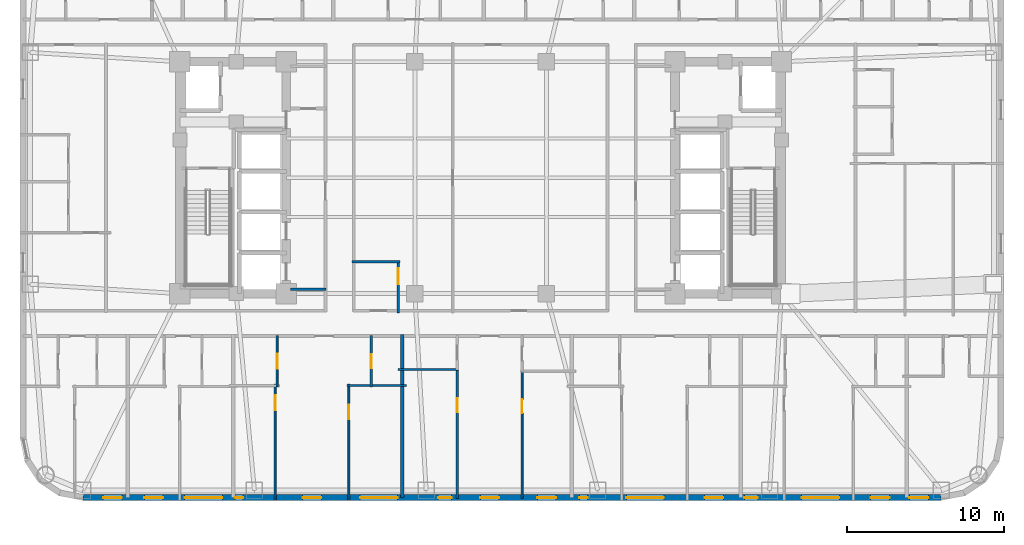
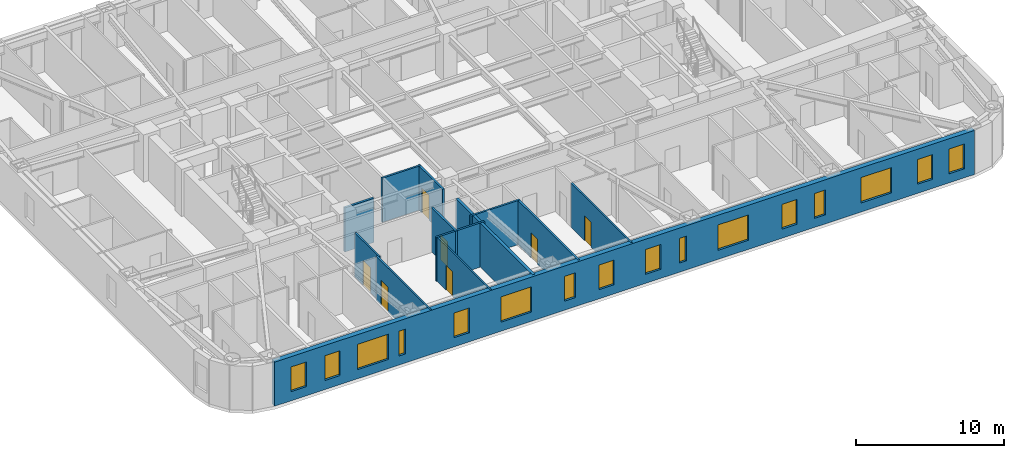
# One storey, part 3 of 11: 16 windows, 13 walls, 7 doors, 23 openings.
"""IFC4 building model written with IfcOpenShell, lengths in metres."""

import ifcopenshell
import ifcopenshell.guid

model = None  # the IFC model being written
_history = None  # IfcOwnerHistory: only IFC2X3 demands one
_inside = {}  # id of a spatial element -> (the spatial element, [elements in it])
_under = {}  # id of a project, library or spatial element -> (it, [spatial elements below it])
_declared = {}  # id of a project -> (the project, [libraries it declares])
_typed = {}  # id of a type object -> (the type object, [elements of that type])
_made_of = {}  # id of a material, layer set ... -> (it, [elements and type objects made of it])


def new_model(schema):
    """Start an empty IFC model of exactly this schema.

    Asked for "IFC4X3", IfcOpenShell would pick the latest addendum, in which some entities
    have other attributes; the version numbers below select the first issue.
    IFC2X3 requires an IfcOwnerHistory on every rooted entity: one is made here for all.
    """
    global model, _history
    if schema == "IFC4X3":
        model = ifcopenshell.file(schema_version=(4, 3, 0, 0))
    else:
        model = ifcopenshell.file(schema=schema)
    _inside.clear()
    _under.clear()
    _declared.clear()
    _typed.clear()
    _made_of.clear()
    _history = None
    if model.schema == "IFC2X3":
        org = make("IfcOrganization", Name="unknown")
        user = make(
            "IfcPersonAndOrganization",
            ThePerson=make("IfcPerson", FamilyName="unknown"),
            TheOrganization=org,
        )
        app = make(
            "IfcApplication",
            ApplicationDeveloper=org,
            Version="unknown",
            ApplicationFullName="unknown",
            ApplicationIdentifier="unknown",
        )
        _history = make(
            "IfcOwnerHistory",
            OwningUser=user,
            OwningApplication=app,
            ChangeAction="ADDED",
            CreationDate=0,
        )
    return model


def make(cls, **values):
    """One entity of the class cls with the attributes given. An attribute that is None is left unset."""
    return model.create_entity(
        cls, **{name: value for name, value in values.items() if value is not None}
    )


def rooted(cls, **values):
    """An entity with a GlobalId (a new one), such as an element, a storey or a relation."""
    return make(cls, GlobalId=ifcopenshell.guid.new(), OwnerHistory=_history, **values)


def si_unit(unit_type, name, prefix=None):
    """IfcSIUnit, for example si_unit("LENGTHUNIT", "METRE", prefix="MILLI")."""
    return make("IfcSIUnit", UnitType=unit_type, Prefix=prefix, Name=name)


def assignment(units):
    """IfcUnitAssignment: the units of a project."""
    return None if units is None else make("IfcUnitAssignment", Units=units)


def point(xyz):
    """IfcCartesianPoint."""
    return None if xyz is None else make("IfcCartesianPoint", Coordinates=xyz)


def direction(xyz):
    """IfcDirection."""
    return None if xyz is None else make("IfcDirection", DirectionRatios=xyz)


def frame(location, z_axis=None, x_axis=None):
    """IfcAxis2Placement3D, a coordinate frame: its origin and axes. An axis left out is left unset."""
    return make(
        "IfcAxis2Placement3D",
        Location=point(location),
        Axis=direction(z_axis),
        RefDirection=direction(x_axis),
    )


def frame_2d(location, x_axis=None):
    """IfcAxis2Placement2D, a coordinate frame in the plane: its origin and x axis."""
    return make(
        "IfcAxis2Placement2D", Location=point(location), RefDirection=direction(x_axis)
    )


def origin():
    """The frame at (0, 0, 0) with its axes left unset."""
    return frame((0.0, 0.0, 0.0))


def place(relative_to, where):
    """IfcLocalPlacement: puts the frame where relative to a parent placement (None: the world)."""
    return make(
        "IfcLocalPlacement", PlacementRelTo=relative_to, RelativePlacement=where
    )


def context(
    kind, dimensions, precision=None, world=None, true_north=None, identifier=None
):
    """IfcGeometricRepresentationContext, for example the 3D "Model" context."""
    return make(
        "IfcGeometricRepresentationContext",
        ContextIdentifier=identifier,
        ContextType=kind,
        CoordinateSpaceDimension=dimensions,
        Precision=precision,
        WorldCoordinateSystem=world,
        TrueNorth=true_north,
    )


def subcontext(parent, identifier, kind, view, scale=None):
    """IfcGeometricRepresentationSubContext, for example "Body" below "Model"."""
    return make(
        "IfcGeometricRepresentationSubContext",
        ContextIdentifier=identifier,
        ContextType=kind,
        ParentContext=parent,
        TargetScale=scale,
        TargetView=view,
    )


def project(units=None, contexts=None):
    """IfcProject with its units and contexts."""
    return rooted(
        "IfcProject",
        Name="project",
        RepresentationContexts=contexts,
        UnitsInContext=assignment(units),
    )


def spatial(cls, under=None, at=None, **own):
    """A site, building, storey or space (cls), placed at a placement, below another one or the project."""
    s = rooted(cls, ObjectPlacement=at, **own)
    if under is not None:
        _under.setdefault(under.id(), (under, []))[1].append(s)
    return s


def profile(cls, at=None, kind="AREA", **sizes):
    """A parametric profile (cls). Its sizes go by their IFC names, for example OverallWidth=200.0."""
    return make(cls, ProfileType=kind, Position=at, **sizes)


def rectangle(**sizes):
    """IfcRectangleProfileDef."""
    return profile("IfcRectangleProfileDef", **sizes)


def extrude(swept, where, along, depth):
    """IfcExtrudedAreaSolid: the profile swept, set in the frame where, extruded along a direction by depth."""
    return make(
        "IfcExtrudedAreaSolid",
        SweptArea=swept,
        Position=where,
        ExtrudedDirection=direction(along),
        Depth=depth,
    )


def shape(context_of_items, identifier, shape_type, items):
    """IfcShapeRepresentation: the items that make up one representation, for example the "Body"."""
    return make(
        "IfcShapeRepresentation",
        ContextOfItems=context_of_items,
        RepresentationIdentifier=identifier,
        RepresentationType=shape_type,
        Items=items,
    )


def material(Name=None, Category=None):
    """IfcMaterial."""
    return make("IfcMaterial", Name=Name, Category=Category)


def layer(
    of_material, thickness, ventilated=None, Name=None, Category=None, Priority=None
):
    """IfcMaterialLayer: one layer of a wall or slab, of a material (None: an air gap)."""
    return make(
        "IfcMaterialLayer",
        Material=of_material,
        LayerThickness=thickness,
        IsVentilated=ventilated,
        Name=Name,
        Category=Category,
        Priority=Priority,
    )


def layer_set(layers, Name=None):
    """IfcMaterialLayerSet."""
    return make("IfcMaterialLayerSet", MaterialLayers=layers, LayerSetName=Name)


def made_of(thing, what):
    """Note that an element or type object is made of a material, layer set ...; save() writes the relation."""
    if what is not None:
        _made_of.setdefault(what.id(), (what, []))[1].append(thing)
    return thing


def type_object(cls, material=None, **own):
    """A type object (cls), such as IfcWallType, which elements share."""
    return made_of(rooted(cls, **own), material)


def element(
    cls,
    number,
    at=None,
    inside=None,
    cuts=None,
    type_object=None,
    material=None,
    context=None,
    identifier="Body",
    shape_type=None,
    held_by="IfcProductDefinitionShape",
    body=None,
    shapes=None,
    **own,
):
    """One element of the class cls, such as IfcWall. Its Tag is "e" and its number.

    at: its placement. inside: the storey or other place that contains it. cuts: it is an
    opening in that element (IfcRelVoidsElement). A single representation is given by context,
    identifier, shape_type and body (its items); several are given by shapes. held_by: the class
    of the entity that holds the representations. save() writes the other relations.
    """
    e = rooted(cls, Tag="e%d" % number, ObjectPlacement=at, **own)
    if body is not None:
        shapes = [shape(context, identifier, shape_type, body)]
    if shapes is not None:
        e.Representation = make(held_by, Representations=shapes)
    if inside is not None:
        _inside.setdefault(inside.id(), (inside, []))[1].append(e)
    if cuts is not None:
        rooted(
            "IfcRelVoidsElement", RelatingBuildingElement=cuts, RelatedOpeningElement=e
        )
    if type_object is not None:
        _typed.setdefault(type_object.id(), (type_object, []))[1].append(e)
    return made_of(e, material)


def fill(opening, filler):
    """IfcRelFillsElement: the door or window that sits in an opening."""
    return rooted(
        "IfcRelFillsElement",
        RelatingOpeningElement=opening,
        RelatedBuildingElement=filler,
    )


def aggregate(whole, parts):
    """IfcRelAggregates: a whole, such as a stair, and the parts it consists of."""
    return rooted("IfcRelAggregates", RelatingObject=whole, RelatedObjects=parts)


def save(model, path):
    """Write the relations noted so far, then the file.

    IfcRelAggregates (storeys below a building ...), IfcRelContainedInSpatialStructure (elements
    in a storey), IfcRelDefinesByType, IfcRelAssociatesMaterial and IfcRelDeclares: one each for
    every whole, place, type object, material and project.
    """
    for whole, parts in _under.values():
        aggregate(whole, parts)
    for where, things in _inside.values():
        rooted(
            "IfcRelContainedInSpatialStructure",
            RelatedElements=things,
            RelatingStructure=where,
        )
    for kind, things in _typed.values():
        rooted("IfcRelDefinesByType", RelatedObjects=things, RelatingType=kind)
    for what, things in _made_of.values():
        rooted("IfcRelAssociatesMaterial", RelatedObjects=things, RelatingMaterial=what)
    for by, libraries in _declared.values():
        rooted("IfcRelDeclares", RelatingContext=by, RelatedDefinitions=libraries)
    model.write(path)


model = new_model("IFC4")

# Units and contexts
model_context = context("Model", 3, precision=1e-05, world=origin(), true_north=direction((0.0, 1.0)))
body_context = subcontext(model_context, "Body", "Model", "MODEL_VIEW")
ifc_project = project(units=[si_unit("LENGTHUNIT", "METRE"), si_unit("AREAUNIT", "SQUARE_METRE"), si_unit("VOLUMEUNIT", "CUBIC_METRE"), si_unit("PLANEANGLEUNIT", "RADIAN"), si_unit("MASSUNIT", "GRAM", prefix="KILO")], contexts=[model_context])

# Site, building, storey
site_placement = place(None, origin())
site = spatial("IfcSite", under=ifc_project, at=site_placement, CompositionType="ELEMENT")
building_placement = place(site_placement, origin())
building = spatial("IfcBuilding", under=site, at=building_placement, Name="Voryun Gate Residences", CompositionType="ELEMENT")
storey_placement = place(building_placement, frame((0.0, 0.0, 97.5)))
storey = spatial("IfcBuildingStorey", under=building, at=storey_placement, Name="L23", CompositionType="ELEMENT", Elevation=97.5)

# Wall
ifc_material_1 = material(Name="Gypsum acoustic fireboard")
ifc_layer_1 = layer(ifc_material_1, 0.179931640625, Name="W_CORR_RATED_180")
ifc_layer_set_1 = layer_set([ifc_layer_1], Name="Gypsum acoustic fireboard")
wall_type_1 = type_object("IfcWallType", Name="W_CORR_RATED_180", PredefinedType="PARTITIONING", material=ifc_layer_set_1)
wall_1_placement = place(storey_placement, frame((-12.14990234375, -7.1201171875, 0.0), z_axis=(0.0, 0.0, 1.0), x_axis=(1.0, 0.0, 0.0)))
element("IfcWall", 1, at=wall_1_placement, inside=storey, type_object=wall_type_1, Name="Partition wall WP-L23-PLBS-W", PredefinedType="PARTITIONING", context=body_context, shape_type="SweptSolid", body=[
    extrude(rectangle(XDim=2.27001953125, YDim=0.179931640625, at=frame_2d((1.135009765625, 0.0))), origin(), (0.0, 0.0, 1.0), 3.64990234375),
])

# Wall, openings, windows
ifc_material_2 = material(Name="Granite masonry", Category="masonry")
ifc_layer_2 = layer(ifc_material_2, 0.3798828125, Name="W_EXT_GRANITE_380")
ifc_layer_set_2 = layer_set([ifc_layer_2], Name="Granite masonry")
wall_type_2 = type_object("IfcWallType", Name="W_EXT_GRANITE_380", PredefinedType="ELEMENTEDWALL", material=ifc_layer_set_2)
wall_2_placement = place(storey_placement, frame((29.38134765625, -20.409912109375, 0.0), z_axis=(0.0, 0.0, 1.0), x_axis=(-1.0, 0.0, 0.0)))
wall_2 = element("IfcWall", 2, at=wall_2_placement, inside=storey, type_object=wall_type_2, Name="Exterior wall WEXT-L23-01", PredefinedType="ELEMENTEDWALL", context=body_context, shape_type="SweptSolid", body=[
    extrude(rectangle(XDim=54.7626953125, YDim=0.3798828125, at=frame_2d((27.38134765625, 0.0))), origin(), (0.0, 0.0, 1.0), 3.64990234375),
])
opening_1_placement = place(wall_2_placement, frame((6.495361328125, 0.0, 0.75)))
opening_1 = element("IfcOpeningElement", 3, at=opening_1_placement, cuts=wall_2, Name="Opening WN2", PredefinedType="OPENING", context=body_context, shape_type="SweptSolid", body=[
    extrude(rectangle(XDim=2.39990234375, YDim=2.10009765625, at=frame_2d((1.199951171875, 1.050048828125))), frame((0.0, 0.199951171875, 0.0), z_axis=(0.0, -1.0, 0.0), x_axis=(1.0, 0.0, 0.0)), (0.0, 0.0, 1.0), 0.39990234375),
])
opening_2_placement = place(wall_2_placement, frame((17.68603515625, 0.0, 0.75)))
opening_2 = element("IfcOpeningElement", 4, at=opening_2_placement, cuts=wall_2, Name="Opening WN2", PredefinedType="OPENING", context=body_context, shape_type="SweptSolid", body=[
    extrude(rectangle(XDim=2.39990234375, YDim=2.10009765625, at=frame_2d((1.199951171875, 1.050048828125))), frame((0.0, 0.199951171875, 0.0), z_axis=(0.0, -1.0, 0.0), x_axis=(1.0, 0.0, 0.0)), (0.0, 0.0, 1.0), 0.39990234375),
])
opening_3_placement = place(wall_2_placement, frame((34.676513671875, 0.0, 0.75)))
opening_3 = element("IfcOpeningElement", 5, at=opening_3_placement, cuts=wall_2, Name="Opening WN2", PredefinedType="OPENING", context=body_context, shape_type="SweptSolid", body=[
    extrude(rectangle(XDim=2.39990234375, YDim=2.10009765625, at=frame_2d((1.199951171875, 1.050048828125))), frame((0.0, 0.199951171875, 0.0), z_axis=(0.0, -1.0, 0.0), x_axis=(1.0, 0.0, 0.0)), (0.0, 0.0, 1.0), 0.39990234375),
])
opening_4_placement = place(wall_2_placement, frame((45.8671875, 0.0, 0.75)))
opening_4 = element("IfcOpeningElement", 6, at=opening_4_placement, cuts=wall_2, Name="Opening WN2", PredefinedType="OPENING", context=body_context, shape_type="SweptSolid", body=[
    extrude(rectangle(XDim=2.39990234375, YDim=2.10009765625, at=frame_2d((1.199951171875, 1.050048828125))), frame((0.0, 0.199951171875, 0.0), z_axis=(0.0, -1.0, 0.0), x_axis=(1.0, 0.0, 0.0)), (0.0, 0.0, 1.0), 0.39990234375),
])
opening_5_placement = place(wall_2_placement, frame((52.281494140625, 0.0, 0.75)))
opening_5 = element("IfcOpeningElement", 7, at=opening_5_placement, cuts=wall_2, Name="Opening WN6", PredefinedType="OPENING", context=body_context, shape_type="SweptSolid", body=[
    extrude(rectangle(XDim=1.199951171875, YDim=2.050048828125, at=frame_2d((0.60009765625, 1.02490234375))), frame((0.0, 0.199951171875, 0.0), z_axis=(0.0, -1.0, 0.0), x_axis=(1.0, 0.0, 0.0)), (0.0, 0.0, 1.0), 0.39990234375),
])
opening_6_placement = place(wall_2_placement, frame((49.640869140625, 0.0, 0.75)))
opening_6 = element("IfcOpeningElement", 8, at=opening_6_placement, cuts=wall_2, Name="Opening WN6", PredefinedType="OPENING", context=body_context, shape_type="SweptSolid", body=[
    extrude(rectangle(XDim=1.199951171875, YDim=2.050048828125, at=frame_2d((0.60009765625, 1.02490234375))), frame((0.0, 0.199951171875, 0.0), z_axis=(0.0, -1.0, 0.0), x_axis=(1.0, 0.0, 0.0)), (0.0, 0.0, 1.0), 0.39990234375),
])
opening_7_placement = place(wall_2_placement, frame((39.542724609375, 0.0, 0.75)))
opening_7 = element("IfcOpeningElement", 9, at=opening_7_placement, cuts=wall_2, Name="Opening WN6", PredefinedType="OPENING", context=body_context, shape_type="SweptSolid", body=[
    extrude(rectangle(XDim=1.199951171875, YDim=2.050048828125, at=frame_2d((0.60009765625, 1.02490234375))), frame((0.0, 0.199951171875, 0.0), z_axis=(0.0, -1.0, 0.0), x_axis=(1.0, 0.0, 0.0)), (0.0, 0.0, 1.0), 0.39990234375),
])
opening_8_placement = place(wall_2_placement, frame((44.537841796875, 0.0, 0.75)))
opening_8 = element("IfcOpeningElement", 10, at=opening_8_placement, cuts=wall_2, Name="Opening WN10", PredefinedType="OPENING", context=body_context, shape_type="SweptSolid", body=[
    extrude(rectangle(XDim=0.52001953125, YDim=2.050048828125, at=frame_2d((0.260009765625, 1.02490234375))), frame((0.0, 0.199951171875, 0.0), z_axis=(0.0, -1.0, 0.0), x_axis=(1.0, 0.0, 0.0)), (0.0, 0.0, 1.0), 0.39990234375),
])
opening_9_placement = place(wall_2_placement, frame((28.206298828125, 0.0, 0.75)))
opening_9 = element("IfcOpeningElement", 11, at=opening_9_placement, cuts=wall_2, Name="Opening WN6", PredefinedType="OPENING", context=body_context, shape_type="SweptSolid", body=[
    extrude(rectangle(XDim=1.199951171875, YDim=2.050048828125, at=frame_2d((0.60009765625, 1.02490234375))), frame((0.0, 0.199951171875, 0.0), z_axis=(0.0, -1.0, 0.0), x_axis=(1.0, 0.0, 0.0)), (0.0, 0.0, 1.0), 0.39990234375),
])
opening_10_placement = place(wall_2_placement, frame((31.2412109375, 0.0, 0.75)))
opening_10 = element("IfcOpeningElement", 12, at=opening_10_placement, cuts=wall_2, Name="Opening WN9", PredefinedType="OPENING", context=body_context, shape_type="SweptSolid", body=[
    extrude(rectangle(XDim=0.85009765625, YDim=2.050048828125, at=frame_2d((0.425048828125, 1.02490234375))), frame((0.0, 0.199951171875, 0.0), z_axis=(0.0, -1.0, 0.0), x_axis=(1.0, 0.0, 0.0)), (0.0, 0.0, 1.0), 0.39990234375),
])
opening_11_placement = place(wall_2_placement, frame((24.561279296875, 0.0, 0.75)))
opening_11 = element("IfcOpeningElement", 13, at=opening_11_placement, cuts=wall_2, Name="Opening WN6", PredefinedType="OPENING", context=body_context, shape_type="SweptSolid", body=[
    extrude(rectangle(XDim=1.199951171875, YDim=2.050048828125, at=frame_2d((0.60009765625, 1.02490234375))), frame((0.0, 0.199951171875, 0.0), z_axis=(0.0, -1.0, 0.0), x_axis=(1.0, 0.0, 0.0)), (0.0, 0.0, 1.0), 0.39990234375),
])
opening_12_placement = place(wall_2_placement, frame((22.561279296875, 0.0, 0.75)))
opening_12 = element("IfcOpeningElement", 14, at=opening_12_placement, cuts=wall_2, Name="Opening WN10", PredefinedType="OPENING", context=body_context, shape_type="SweptSolid", body=[
    extrude(rectangle(XDim=0.52001953125, YDim=2.050048828125, at=frame_2d((0.260009765625, 1.02490234375))), frame((0.0, 0.199951171875, 0.0), z_axis=(0.0, -1.0, 0.0), x_axis=(1.0, 0.0, 0.0)), (0.0, 0.0, 1.0), 0.39990234375),
])
opening_13_placement = place(wall_2_placement, frame((13.88623046875, 0.0, 0.75)))
opening_13 = element("IfcOpeningElement", 15, at=opening_13_placement, cuts=wall_2, Name="Opening WN6", PredefinedType="OPENING", context=body_context, shape_type="SweptSolid", body=[
    extrude(rectangle(XDim=1.199951171875, YDim=2.050048828125, at=frame_2d((0.60009765625, 1.02490234375))), frame((0.0, 0.199951171875, 0.0), z_axis=(0.0, -1.0, 0.0), x_axis=(1.0, 0.0, 0.0)), (0.0, 0.0, 1.0), 0.39990234375),
])
opening_14_placement = place(wall_2_placement, frame((11.6943359375, 0.0, 0.75)))
opening_14 = element("IfcOpeningElement", 16, at=opening_14_placement, cuts=wall_2, Name="Opening WN9", PredefinedType="OPENING", context=body_context, shape_type="SweptSolid", body=[
    extrude(rectangle(XDim=0.85009765625, YDim=2.050048828125, at=frame_2d((0.425048828125, 1.02490234375))), frame((0.0, 0.199951171875, 0.0), z_axis=(0.0, -1.0, 0.0), x_axis=(1.0, 0.0, 0.0)), (0.0, 0.0, 1.0), 0.39990234375),
])
opening_15_placement = place(wall_2_placement, frame((3.286376953125, 0.0, 0.75)))
opening_15 = element("IfcOpeningElement", 17, at=opening_15_placement, cuts=wall_2, Name="Opening WN6", PredefinedType="OPENING", context=body_context, shape_type="SweptSolid", body=[
    extrude(rectangle(XDim=1.199951171875, YDim=2.050048828125, at=frame_2d((0.60009765625, 1.02490234375))), frame((0.0, 0.199951171875, 0.0), z_axis=(0.0, -1.0, 0.0), x_axis=(1.0, 0.0, 0.0)), (0.0, 0.0, 1.0), 0.39990234375),
])
opening_16_placement = place(wall_2_placement, frame((0.815673828125, 0.0, 0.75)))
opening_16 = element("IfcOpeningElement", 18, at=opening_16_placement, cuts=wall_2, Name="Opening WN6", PredefinedType="OPENING", context=body_context, shape_type="SweptSolid", body=[
    extrude(rectangle(XDim=1.199951171875, YDim=2.050048828125, at=frame_2d((0.60009765625, 1.02490234375))), frame((0.0, 0.199951171875, 0.0), z_axis=(0.0, -1.0, 0.0), x_axis=(1.0, 0.0, 0.0)), (0.0, 0.0, 1.0), 0.39990234375),
])
ifc_material_3 = material(Name="Laminated low-E glass", Category="glass")
window_type_1 = type_object("IfcWindowType", Name="WN_PAGODA_LANCET_520", PartitioningType="SINGLE_PANEL", PredefinedType="WINDOW", material=ifc_material_3)
window_1_placement = place(opening_8_placement, origin())
window_1 = element("IfcWindow", 19, at=window_1_placement, inside=storey, type_object=window_type_1, Name="Window WN-L23-DWFIX-20", OverallHeight=2.050048828125, OverallWidth=0.52001953125, PartitioningType="SINGLE_PANEL", PredefinedType="WINDOW", context=body_context, shape_type="SweptSolid", body=[
    extrude(rectangle(XDim=0.52001953125, YDim=2.050048828125, at=frame_2d((0.260009765625, 1.02490234375))), frame((0.0, 0.030029296875, 0.0), z_axis=(0.0, -1.0, 0.0), x_axis=(1.0, 0.0, 0.0)), (0.0, 0.0, 1.0), 0.06005859375),
])
fill(opening_8, window_1)
window_2_placement = place(opening_12_placement, origin())
window_2 = element("IfcWindow", 20, at=window_2_placement, inside=storey, type_object=window_type_1, Name="Window WN-L23-DWFIX-24", OverallHeight=2.050048828125, OverallWidth=0.52001953125, PartitioningType="SINGLE_PANEL", PredefinedType="WINDOW", context=body_context, shape_type="SweptSolid", body=[
    extrude(rectangle(XDim=0.52001953125, YDim=2.050048828125, at=frame_2d((0.260009765625, 1.02490234375))), frame((0.0, 0.030029296875, 0.0), z_axis=(0.0, -1.0, 0.0), x_axis=(1.0, 0.0, 0.0)), (0.0, 0.0, 1.0), 0.06005859375),
])
fill(opening_12, window_2)
ifc_material_4 = material(Name="Laminated low-E glass", Category="glass")
window_type_2 = type_object("IfcWindowType", Name="WN_POD_SLOT_1200", PartitioningType="SINGLE_PANEL", PredefinedType="WINDOW", material=ifc_material_4)
window_3_placement = place(opening_5_placement, origin())
window_3 = element("IfcWindow", 21, at=window_3_placement, inside=storey, type_object=window_type_2, Name="Window WN-L23-DWFIX-17", OverallHeight=2.050048828125, OverallWidth=1.199951171875, PartitioningType="SINGLE_PANEL", PredefinedType="WINDOW", context=body_context, shape_type="SweptSolid", body=[
    extrude(rectangle(XDim=1.199951171875, YDim=2.050048828125, at=frame_2d((0.60009765625, 1.02490234375))), frame((0.0, 0.030029296875, 0.0), z_axis=(0.0, -1.0, 0.0), x_axis=(1.0, 0.0, 0.0)), (0.0, 0.0, 1.0), 0.06005859375),
])
fill(opening_5, window_3)
window_4_placement = place(opening_6_placement, origin())
window_4 = element("IfcWindow", 22, at=window_4_placement, inside=storey, type_object=window_type_2, Name="Window WN-L23-DWFIX-18", OverallHeight=2.050048828125, OverallWidth=1.199951171875, PartitioningType="SINGLE_PANEL", PredefinedType="WINDOW", context=body_context, shape_type="SweptSolid", body=[
    extrude(rectangle(XDim=1.199951171875, YDim=2.050048828125, at=frame_2d((0.60009765625, 1.02490234375))), frame((0.0, 0.030029296875, 0.0), z_axis=(0.0, -1.0, 0.0), x_axis=(1.0, 0.0, 0.0)), (0.0, 0.0, 1.0), 0.06005859375),
])
fill(opening_6, window_4)
window_5_placement = place(opening_7_placement, origin())
window_5 = element("IfcWindow", 23, at=window_5_placement, inside=storey, type_object=window_type_2, Name="Window WN-L23-DWFIX-19", OverallHeight=2.050048828125, OverallWidth=1.199951171875, PartitioningType="SINGLE_PANEL", PredefinedType="WINDOW", context=body_context, shape_type="SweptSolid", body=[
    extrude(rectangle(XDim=1.199951171875, YDim=2.050048828125, at=frame_2d((0.60009765625, 1.02490234375))), frame((0.0, 0.030029296875, 0.0), z_axis=(0.0, -1.0, 0.0), x_axis=(1.0, 0.0, 0.0)), (0.0, 0.0, 1.0), 0.06005859375),
])
fill(opening_7, window_5)
window_6_placement = place(opening_9_placement, origin())
window_6 = element("IfcWindow", 24, at=window_6_placement, inside=storey, type_object=window_type_2, Name="Window WN-L23-DWFIX-21", OverallHeight=2.050048828125, OverallWidth=1.199951171875, PartitioningType="SINGLE_PANEL", PredefinedType="WINDOW", context=body_context, shape_type="SweptSolid", body=[
    extrude(rectangle(XDim=1.199951171875, YDim=2.050048828125, at=frame_2d((0.60009765625, 1.02490234375))), frame((0.0, 0.030029296875, 0.0), z_axis=(0.0, -1.0, 0.0), x_axis=(1.0, 0.0, 0.0)), (0.0, 0.0, 1.0), 0.06005859375),
])
fill(opening_9, window_6)
window_7_placement = place(opening_11_placement, origin())
window_7 = element("IfcWindow", 25, at=window_7_placement, inside=storey, type_object=window_type_2, Name="Window WN-L23-DWFIX-23", OverallHeight=2.050048828125, OverallWidth=1.199951171875, PartitioningType="SINGLE_PANEL", PredefinedType="WINDOW", context=body_context, shape_type="SweptSolid", body=[
    extrude(rectangle(XDim=1.199951171875, YDim=2.050048828125, at=frame_2d((0.60009765625, 1.02490234375))), frame((0.0, 0.030029296875, 0.0), z_axis=(0.0, -1.0, 0.0), x_axis=(1.0, 0.0, 0.0)), (0.0, 0.0, 1.0), 0.06005859375),
])
fill(opening_11, window_7)
window_8_placement = place(opening_13_placement, origin())
window_8 = element("IfcWindow", 26, at=window_8_placement, inside=storey, type_object=window_type_2, Name="Window WN-L23-DWFIX-25", OverallHeight=2.050048828125, OverallWidth=1.199951171875, PartitioningType="SINGLE_PANEL", PredefinedType="WINDOW", context=body_context, shape_type="SweptSolid", body=[
    extrude(rectangle(XDim=1.199951171875, YDim=2.050048828125, at=frame_2d((0.60009765625, 1.02490234375))), frame((0.0, 0.030029296875, 0.0), z_axis=(0.0, -1.0, 0.0), x_axis=(1.0, 0.0, 0.0)), (0.0, 0.0, 1.0), 0.06005859375),
])
fill(opening_13, window_8)
window_9_placement = place(opening_15_placement, origin())
window_9 = element("IfcWindow", 27, at=window_9_placement, inside=storey, type_object=window_type_2, Name="Window WN-L23-DWFIX-27", OverallHeight=2.050048828125, OverallWidth=1.199951171875, PartitioningType="SINGLE_PANEL", PredefinedType="WINDOW", context=body_context, shape_type="SweptSolid", body=[
    extrude(rectangle(XDim=1.199951171875, YDim=2.050048828125, at=frame_2d((0.60009765625, 1.02490234375))), frame((0.0, 0.030029296875, 0.0), z_axis=(0.0, -1.0, 0.0), x_axis=(1.0, 0.0, 0.0)), (0.0, 0.0, 1.0), 0.06005859375),
])
fill(opening_15, window_9)
window_10_placement = place(opening_16_placement, origin())
window_10 = element("IfcWindow", 28, at=window_10_placement, inside=storey, type_object=window_type_2, Name="Window WN-L23-DWFIX-28", OverallHeight=2.050048828125, OverallWidth=1.199951171875, PartitioningType="SINGLE_PANEL", PredefinedType="WINDOW", context=body_context, shape_type="SweptSolid", body=[
    extrude(rectangle(XDim=1.199951171875, YDim=2.050048828125, at=frame_2d((0.60009765625, 1.02490234375))), frame((0.0, 0.030029296875, 0.0), z_axis=(0.0, -1.0, 0.0), x_axis=(1.0, 0.0, 0.0)), (0.0, 0.0, 1.0), 0.06005859375),
])
fill(opening_16, window_10)
ifc_material_5 = material(Name="Laminated low-E glass", Category="glass")
window_type_3 = type_object("IfcWindowType", Name="WN_RES_CASEMENT_850", PartitioningType="SINGLE_PANEL", PredefinedType="WINDOW", material=ifc_material_5)
window_11_placement = place(opening_10_placement, origin())
window_11 = element("IfcWindow", 29, at=window_11_placement, inside=storey, type_object=window_type_3, Name="Window WN-L23-DWFIX-22", OverallHeight=2.050048828125, OverallWidth=0.85009765625, PartitioningType="SINGLE_PANEL", PredefinedType="WINDOW", context=body_context, shape_type="SweptSolid", body=[
    extrude(rectangle(XDim=0.85009765625, YDim=2.050048828125, at=frame_2d((0.425048828125, 1.02490234375))), frame((0.0, 0.030029296875, 0.0), z_axis=(0.0, -1.0, 0.0), x_axis=(1.0, 0.0, 0.0)), (0.0, 0.0, 1.0), 0.06005859375),
])
fill(opening_10, window_11)
window_12_placement = place(opening_14_placement, origin())
window_12 = element("IfcWindow", 30, at=window_12_placement, inside=storey, type_object=window_type_3, Name="Window WN-L23-DWFIX-26", OverallHeight=2.050048828125, OverallWidth=0.85009765625, PartitioningType="SINGLE_PANEL", PredefinedType="WINDOW", context=body_context, shape_type="SweptSolid", body=[
    extrude(rectangle(XDim=0.85009765625, YDim=2.050048828125, at=frame_2d((0.425048828125, 1.02490234375))), frame((0.0, 0.030029296875, 0.0), z_axis=(0.0, -1.0, 0.0), x_axis=(1.0, 0.0, 0.0)), (0.0, 0.0, 1.0), 0.06005859375),
])
fill(opening_14, window_12)
ifc_material_6 = material(Name="Laminated low-E glass", Category="glass")
window_type_4 = type_object("IfcWindowType", Name="WN_RES_WIDE_2400", PartitioningType="SINGLE_PANEL", PredefinedType="WINDOW", material=ifc_material_6)
window_13_placement = place(opening_1_placement, origin())
window_13 = element("IfcWindow", 31, at=window_13_placement, inside=storey, type_object=window_type_4, Name="Window WN-WEXT-L23-01-01", OverallHeight=2.10009765625, OverallWidth=2.39990234375, PartitioningType="SINGLE_PANEL", PredefinedType="WINDOW", context=body_context, shape_type="SweptSolid", body=[
    extrude(rectangle(XDim=2.39990234375, YDim=2.10009765625, at=frame_2d((1.199951171875, 1.050048828125))), frame((0.0, 0.030029296875, 0.0), z_axis=(0.0, -1.0, 0.0), x_axis=(1.0, 0.0, 0.0)), (0.0, 0.0, 1.0), 0.06005859375),
])
fill(opening_1, window_13)
window_14_placement = place(opening_2_placement, origin())
window_14 = element("IfcWindow", 32, at=window_14_placement, inside=storey, type_object=window_type_4, Name="Window WN-WEXT-L23-01-02", OverallHeight=2.10009765625, OverallWidth=2.39990234375, PartitioningType="SINGLE_PANEL", PredefinedType="WINDOW", context=body_context, shape_type="SweptSolid", body=[
    extrude(rectangle(XDim=2.39990234375, YDim=2.10009765625, at=frame_2d((1.199951171875, 1.050048828125))), frame((0.0, 0.030029296875, 0.0), z_axis=(0.0, -1.0, 0.0), x_axis=(1.0, 0.0, 0.0)), (0.0, 0.0, 1.0), 0.06005859375),
])
fill(opening_2, window_14)
window_15_placement = place(opening_3_placement, origin())
window_15 = element("IfcWindow", 33, at=window_15_placement, inside=storey, type_object=window_type_4, Name="Window WN-WEXT-L23-01-03", OverallHeight=2.10009765625, OverallWidth=2.39990234375, PartitioningType="SINGLE_PANEL", PredefinedType="WINDOW", context=body_context, shape_type="SweptSolid", body=[
    extrude(rectangle(XDim=2.39990234375, YDim=2.10009765625, at=frame_2d((1.199951171875, 1.050048828125))), frame((0.0, 0.030029296875, 0.0), z_axis=(0.0, -1.0, 0.0), x_axis=(1.0, 0.0, 0.0)), (0.0, 0.0, 1.0), 0.06005859375),
])
fill(opening_3, window_15)
window_16_placement = place(opening_4_placement, origin())
window_16 = element("IfcWindow", 34, at=window_16_placement, inside=storey, type_object=window_type_4, Name="Window WN-WEXT-L23-01-04", OverallHeight=2.10009765625, OverallWidth=2.39990234375, PartitioningType="SINGLE_PANEL", PredefinedType="WINDOW", context=body_context, shape_type="SweptSolid", body=[
    extrude(rectangle(XDim=2.39990234375, YDim=2.10009765625, at=frame_2d((1.199951171875, 1.050048828125))), frame((0.0, 0.030029296875, 0.0), z_axis=(0.0, -1.0, 0.0), x_axis=(1.0, 0.0, 0.0)), (0.0, 0.0, 1.0), 0.06005859375),
])
fill(opening_4, window_16)

# Wall
ifc_material_7 = material(Name="Concrete C40/50", Category="concrete")
ifc_layer_3 = layer(ifc_material_7, 0.219970703125, Name="W_PARTY_ACOUSTIC_220")
ifc_layer_set_3 = layer_set([ifc_layer_3], Name="Concrete C40/50")
wall_type_3 = type_object("IfcWallType", Name="W_PARTY_ACOUSTIC_220", PredefinedType="PARTITIONING", material=ifc_layer_set_3)
wall_3_placement = place(storey_placement, frame((-5.0, -20.409912109375, 0.0), z_axis=(0.0, 0.0, 1.0), x_axis=(0.0, 1.0, 0.0)))
element("IfcWall", 35, at=wall_3_placement, inside=storey, type_object=wall_type_3, Name="Partition wall WP-L23-SPTY-3", PredefinedType="PARTITIONING", context=body_context, shape_type="SweptSolid", body=[
    extrude(rectangle(XDim=10.389892578125, YDim=0.219970703125, at=frame_2d((5.19482421875, 0.0))), origin(), (0.0, 0.0, 1.0), 3.64990234375),
])

# Wall, opening, door
ifc_material_8 = material(Name="Gypsum acoustic partition")
ifc_layer_4 = layer(ifc_material_8, 0.125, Name="W_UNIT_PART_125")
ifc_layer_set_4 = layer_set([ifc_layer_4], Name="Gypsum acoustic partition")
wall_type_4 = type_object("IfcWallType", Name="W_UNIT_PART_125", PredefinedType="PARTITIONING", material=ifc_layer_set_4)
wall_4_placement = place(storey_placement, frame((-13.113037109375, -20.56005859375, 0.0), z_axis=(0.0, 0.0, 1.0), x_axis=(0.0, 1.0, 0.0)))
wall_4 = element("IfcWall", 36, at=wall_4_placement, inside=storey, type_object=wall_type_4, Name="Partition wall WP-L23-S3-OVL", PredefinedType="PARTITIONING", context=body_context, shape_type="SweptSolid", body=[
    extrude(rectangle(XDim=7.379150390625, YDim=0.125, at=frame_2d((3.689453125, 0.0))), origin(), (0.0, 0.0, 1.0), 3.64990234375),
])
opening_17_placement = place(wall_4_placement, frame((5.723388671875, 0.0, 0.0)))
opening_17 = element("IfcOpeningElement", 37, at=opening_17_placement, cuts=wall_4, Name="Opening D-INT-1", PredefinedType="OPENING", context=body_context, shape_type="SweptSolid", body=[
    extrude(rectangle(XDim=0.949951171875, YDim=2.050048828125, at=frame_2d((0.47509765625, 1.02490234375))), frame((0.0, 0.072509765625, 0.0), z_axis=(0.0, -1.0, 0.0), x_axis=(1.0, 0.0, 0.0)), (0.0, 0.0, 1.0), 0.14501953125),
])
ifc_material_9 = material(Name="Architectural oak veneer")
door_type_1 = type_object("IfcDoorType", Name="DR_INT_ROOM_950", OperationType="NOTDEFINED", PredefinedType="DOOR", material=ifc_material_9)
door_1_placement = place(opening_17_placement, origin())
door_1 = element("IfcDoor", 38, at=door_1_placement, inside=storey, type_object=door_type_1, Name="Door DR-L23-S3-DB2", OperationType="SINGLE_SWING_LEFT", OverallHeight=2.050048828125, OverallWidth=0.949951171875, PredefinedType="DOOR", context=body_context, shape_type="SweptSolid", body=[
    extrude(rectangle(XDim=0.949951171875, YDim=2.050048828125, at=frame_2d((0.47509765625, 1.02490234375))), frame((0.0, 0.02490234375, 0.0), z_axis=(0.0, -1.0, 0.0), x_axis=(1.0, 0.0, 0.0)), (0.0, 0.0, 1.0), 0.050048828125),
])
fill(opening_17, door_1)

wall_5_placement = place(storey_placement, frame((-8.409912109375, -20.56005859375, 0.0), z_axis=(0.0, 0.0, 1.0), x_axis=(0.0, 1.0, 0.0)))
wall_5 = element("IfcWall", 39, at=wall_5_placement, inside=storey, type_object=wall_type_4, Name="Partition wall WP-L23-S3-OVR", PredefinedType="PARTITIONING", context=body_context, shape_type="SweptSolid", body=[
    extrude(rectangle(XDim=7.379150390625, YDim=0.125, at=frame_2d((3.689453125, 0.0))), origin(), (0.0, 0.0, 1.0), 3.64990234375),
])
opening_18_placement = place(wall_5_placement, frame((5.157958984375, 0.0, 0.0)))
opening_18 = element("IfcOpeningElement", 40, at=opening_18_placement, cuts=wall_5, Name="Opening D-INT-2", PredefinedType="OPENING", context=body_context, shape_type="SweptSolid", body=[
    extrude(rectangle(XDim=0.89990234375, YDim=2.050048828125, at=frame_2d((0.449951171875, 1.02490234375))), frame((0.0, 0.072509765625, 0.0), z_axis=(0.0, -1.0, 0.0), x_axis=(1.0, 0.0, 0.0)), (0.0, 0.0, 1.0), 0.14501953125),
])
ifc_material_10 = material(Name="Architectural oak veneer")
door_type_2 = type_object("IfcDoorType", Name="DR_INT_BATH_900", OperationType="NOTDEFINED", PredefinedType="DOOR", material=ifc_material_10)
door_2_placement = place(opening_18_placement, origin())
door_2 = element("IfcDoor", 41, at=door_2_placement, inside=storey, type_object=door_type_2, Name="Door DR-L23-S3-DMB", OperationType="SINGLE_SWING_RIGHT", OverallHeight=2.050048828125, OverallWidth=0.89990234375, PredefinedType="DOOR", context=body_context, shape_type="SweptSolid", body=[
    extrude(rectangle(XDim=0.89990234375, YDim=2.050048828125, at=frame_2d((0.449951171875, 1.02490234375))), frame((0.0, 0.02490234375, 0.0), z_axis=(0.0, -1.0, 0.0), x_axis=(1.0, 0.0, 0.0)), (0.0, 0.0, 1.0), 0.050048828125),
])
fill(opening_18, door_2)

wall_6_placement = place(storey_placement, frame((-12.985107421875, -13.341064453125, 0.0), z_axis=(0.0, 0.0, 1.0), x_axis=(0.0, 1.0, 0.0)))
wall_6 = element("IfcWall", 42, at=wall_6_placement, inside=storey, type_object=wall_type_4, Name="Partition wall WP-L23-S3-IVK", PredefinedType="PARTITIONING", context=body_context, shape_type="SweptSolid", body=[
    extrude(rectangle(XDim=3.260986328125, YDim=0.125, at=frame_2d((1.63037109375, 0.0))), origin(), (0.0, 0.0, 1.0), 3.64990234375),
])
opening_19_placement = place(wall_6_placement, frame((1.155517578125, 0.0, 0.0)))
opening_19 = element("IfcOpeningElement", 43, at=opening_19_placement, cuts=wall_6, Name="Opening D-INT-1", PredefinedType="OPENING", context=body_context, shape_type="SweptSolid", body=[
    extrude(rectangle(XDim=0.949951171875, YDim=2.050048828125, at=frame_2d((0.47509765625, 1.02490234375))), frame((0.0, 0.072509765625, 0.0), z_axis=(0.0, -1.0, 0.0), x_axis=(1.0, 0.0, 0.0)), (0.0, 0.0, 1.0), 0.14501953125),
])
door_3_placement = place(opening_19_placement, origin())
door_3 = element("IfcDoor", 44, at=door_3_placement, inside=storey, type_object=door_type_1, Name="Door DR-L23-S3-DK", OperationType="SINGLE_SWING_LEFT", OverallHeight=2.050048828125, OverallWidth=0.949951171875, PredefinedType="DOOR", context=body_context, shape_type="SweptSolid", body=[
    extrude(rectangle(XDim=0.949951171875, YDim=2.050048828125, at=frame_2d((0.47509765625, 1.02490234375))), frame((0.0, 0.02490234375, 0.0), z_axis=(0.0, -1.0, 0.0), x_axis=(1.0, 0.0, 0.0)), (0.0, 0.0, 1.0), 0.050048828125),
])
fill(opening_19, door_3)

wall_7_placement = place(storey_placement, frame((2.639892578125, -20.45751953125, 0.0), z_axis=(0.0, 0.0, 1.0), x_axis=(0.0, 1.0, 0.0)))
wall_7 = element("IfcWall", 45, at=wall_7_placement, inside=storey, type_object=wall_type_4, Name="Partition wall WP-L23-S4-RVX1", PredefinedType="PARTITIONING", context=body_context, shape_type="SweptSolid", body=[
    extrude(rectangle(XDim=8.157470703125, YDim=0.125, at=frame_2d((4.07861328125, 0.0))), origin(), (0.0, 0.0, 1.0), 3.64990234375),
])
opening_20_placement = place(wall_7_placement, frame((5.423583984375, 0.0, 0.0)))
opening_20 = element("IfcOpeningElement", 46, at=opening_20_placement, cuts=wall_7, Name="Opening D-INT-2", PredefinedType="OPENING", context=body_context, shape_type="SweptSolid", body=[
    extrude(rectangle(XDim=0.89990234375, YDim=2.050048828125, at=frame_2d((0.449951171875, 1.02490234375))), frame((0.0, 0.072509765625, 0.0), z_axis=(0.0, -1.0, 0.0), x_axis=(1.0, 0.0, 0.0)), (0.0, 0.0, 1.0), 0.14501953125),
])
door_4_placement = place(opening_20_placement, origin())
door_4 = element("IfcDoor", 47, at=door_4_placement, inside=storey, type_object=door_type_2, Name="Door DR-L23-S4-DB2", OperationType="SINGLE_SWING_RIGHT", OverallHeight=2.050048828125, OverallWidth=0.89990234375, PredefinedType="DOOR", context=body_context, shape_type="SweptSolid", body=[
    extrude(rectangle(XDim=0.89990234375, YDim=2.050048828125, at=frame_2d((0.449951171875, 1.02490234375))), frame((0.0, 0.02490234375, 0.0), z_axis=(0.0, -1.0, 0.0), x_axis=(1.0, 0.0, 0.0)), (0.0, 0.0, 1.0), 0.050048828125),
])
fill(opening_20, door_4)

ifc_material_11 = material(Name="Gypsum moisture-resistant partition")
ifc_layer_5 = layer(ifc_material_11, 0.14990234375, Name="W_WET_PLUMB_150")
ifc_layer_set_5 = layer_set([ifc_layer_5], Name="Gypsum moisture-resistant partition")
wall_type_5 = type_object("IfcWallType", Name="W_WET_PLUMB_150", PredefinedType="PLUMBINGWALL", material=ifc_layer_set_5)
wall_8_placement = place(storey_placement, frame((-5.260009765625, -8.6201171875, 0.0), z_axis=(0.0, 0.0, 1.0), x_axis=(0.0, 1.0, 0.0)))
wall_8 = element("IfcWall", 48, at=wall_8_placement, inside=storey, type_object=wall_type_5, Name="Partition wall WP-L23-CMWCX", PredefinedType="PLUMBINGWALL", context=body_context, shape_type="SweptSolid", body=[
    extrude(rectangle(XDim=3.35009765625, YDim=0.14990234375, at=frame_2d((1.675048828125, 0.0))), origin(), (0.0, 0.0, 1.0), 3.64990234375),
])
opening_21_placement = place(wall_8_placement, frame((1.8349609375, 0.0, 0.0)))
opening_21 = element("IfcOpeningElement", 49, at=opening_21_placement, cuts=wall_8, Name="Opening D-AWC-1", PredefinedType="OPENING", context=body_context, shape_type="SweptSolid", body=[
    extrude(rectangle(XDim=1.0, YDim=2.050048828125, at=frame_2d((0.5, 1.02490234375))), frame((0.0, 0.0849609375, 0.0), z_axis=(0.0, -1.0, 0.0), x_axis=(1.0, 0.0, 0.0)), (0.0, 0.0, 1.0), 0.169921875),
])
ifc_material_12 = material(Name="Architectural oak veneer")
door_type_3 = type_object("IfcDoorType", Name="DR_ACC_WC_1000", OperationType="NOTDEFINED", PredefinedType="DOOR", material=ifc_material_12)
door_5_placement = place(opening_21_placement, origin())
door_5 = element("IfcDoor", 50, at=door_5_placement, inside=storey, type_object=door_type_3, Name="Door DR-L23-CMWC", OperationType="SINGLE_SWING_LEFT", OverallHeight=2.050048828125, OverallWidth=1.0, PredefinedType="DOOR", context=body_context, shape_type="SweptSolid", body=[
    extrude(rectangle(XDim=1.0, YDim=2.050048828125, at=frame_2d((0.5, 1.02490234375))), frame((0.0, 0.02490234375, 0.0), z_axis=(0.0, -1.0, 0.0), x_axis=(1.0, 0.0, 0.0)), (0.0, 0.0, 1.0), 0.050048828125),
])
fill(opening_21, door_5)

# Walls
wall_9_placement = place(storey_placement, frame((-8.2099609375, -5.3701171875, 0.0), z_axis=(0.0, 0.0, 1.0), x_axis=(1.0, 0.0, 0.0)))
element("IfcWall", 51, at=wall_9_placement, inside=storey, type_object=wall_type_5, Name="Partition wall WP-L23-CMWCY", PredefinedType="PLUMBINGWALL", context=body_context, shape_type="SweptSolid", body=[
    extrude(rectangle(XDim=3.050048828125, YDim=0.14990234375, at=frame_2d((1.52490234375, 0.0))), origin(), (0.0, 0.0, 1.0), 3.64990234375),
])
wall_10_placement = place(storey_placement, frame((-8.530029296875, -13.260986328125, 0.0), z_axis=(0.0, 0.0, 1.0), x_axis=(1.0, 0.0, 0.0)))
element("IfcWall", 52, at=wall_10_placement, inside=storey, type_object=wall_type_5, Name="Partition wall WP-L23-S3-HZB", PredefinedType="PLUMBINGWALL", context=body_context, shape_type="SweptSolid", body=[
    extrude(rectangle(XDim=3.7900390625, YDim=0.14990234375, at=frame_2d((1.89501953125, 0.0))), origin(), (0.0, 0.0, 1.0), 3.64990234375),
])

# Wall, opening, door
wall_11_placement = place(storey_placement, frame((-6.97998046875, -13.341064453125, 0.0), z_axis=(0.0, 0.0, 1.0), x_axis=(0.0, 1.0, 0.0)))
wall_11 = element("IfcWall", 53, at=wall_11_placement, inside=storey, type_object=wall_type_5, Name="Partition wall WP-L23-S3-IVB", PredefinedType="PLUMBINGWALL", context=body_context, shape_type="SweptSolid", body=[
    extrude(rectangle(XDim=3.260986328125, YDim=0.14990234375, at=frame_2d((1.63037109375, 0.0))), origin(), (0.0, 0.0, 1.0), 3.64990234375),
])
opening_22_placement = place(wall_11_placement, frame((1.180419921875, 0.0, 0.0)))
opening_22 = element("IfcOpeningElement", 54, at=opening_22_placement, cuts=wall_11, Name="Opening D-INT-2", PredefinedType="OPENING", context=body_context, shape_type="SweptSolid", body=[
    extrude(rectangle(XDim=0.89990234375, YDim=2.050048828125, at=frame_2d((0.449951171875, 1.02490234375))), frame((0.0, 0.0849609375, 0.0), z_axis=(0.0, -1.0, 0.0), x_axis=(1.0, 0.0, 0.0)), (0.0, 0.0, 1.0), 0.169921875),
])
door_6_placement = place(opening_22_placement, origin())
door_6 = element("IfcDoor", 55, at=door_6_placement, inside=storey, type_object=door_type_2, Name="Door DR-L23-S3-DB", OperationType="SINGLE_SWING_RIGHT", OverallHeight=2.050048828125, OverallWidth=0.89990234375, PredefinedType="DOOR", context=body_context, shape_type="SweptSolid", body=[
    extrude(rectangle(XDim=0.89990234375, YDim=2.050048828125, at=frame_2d((0.449951171875, 1.02490234375))), frame((0.0, 0.02490234375, 0.0), z_axis=(0.0, -1.0, 0.0), x_axis=(1.0, 0.0, 0.0)), (0.0, 0.0, 1.0), 0.050048828125),
])
fill(opening_22, door_6)

# Wall
wall_12_placement = place(storey_placement, frame((-5.260009765625, -12.239990234375, 0.0), z_axis=(0.0, 0.0, 1.0), x_axis=(1.0, 0.0, 0.0)))
element("IfcWall", 56, at=wall_12_placement, inside=storey, type_object=wall_type_5, Name="Partition wall WP-L23-S4-LHY", PredefinedType="PLUMBINGWALL", context=body_context, shape_type="SweptSolid", body=[
    extrude(rectangle(XDim=3.85009765625, YDim=0.14990234375, at=frame_2d((1.925048828125, 0.0))), origin(), (0.0, 0.0, 1.0), 3.64990234375),
])

# Wall, opening, door
wall_13_placement = place(storey_placement, frame((-1.489990234375, -20.45751953125, 0.0), z_axis=(0.0, 0.0, 1.0), x_axis=(0.0, 1.0, 0.0)))
wall_13 = element("IfcWall", 57, at=wall_13_placement, inside=storey, type_object=wall_type_5, Name="Partition wall WP-L23-S4-LVX1", PredefinedType="PLUMBINGWALL", context=body_context, shape_type="SweptSolid", body=[
    extrude(rectangle(XDim=8.257568359375, YDim=0.14990234375, at=frame_2d((4.12890625, 0.0))), origin(), (0.0, 0.0, 1.0), 3.64990234375),
])
opening_23_placement = place(wall_13_placement, frame((5.49560546875, 0.0, 0.0)))
opening_23 = element("IfcOpeningElement", 58, at=opening_23_placement, cuts=wall_13, Name="Opening D-INT-2", PredefinedType="OPENING", context=body_context, shape_type="SweptSolid", body=[
    extrude(rectangle(XDim=0.89990234375, YDim=2.050048828125, at=frame_2d((0.449951171875, 1.02490234375))), frame((0.0, 0.0849609375, 0.0), z_axis=(0.0, -1.0, 0.0), x_axis=(1.0, 0.0, 0.0)), (0.0, 0.0, 1.0), 0.169921875),
])
door_7_placement = place(opening_23_placement, origin())
door_7 = element("IfcDoor", 59, at=door_7_placement, inside=storey, type_object=door_type_2, Name="Door DR-L23-S4-DMB", OperationType="SINGLE_SWING_LEFT", OverallHeight=2.050048828125, OverallWidth=0.89990234375, PredefinedType="DOOR", context=body_context, shape_type="SweptSolid", body=[
    extrude(rectangle(XDim=0.89990234375, YDim=2.050048828125, at=frame_2d((0.449951171875, 1.02490234375))), frame((0.0, 0.02490234375, 0.0), z_axis=(0.0, -1.0, 0.0), x_axis=(1.0, 0.0, 0.0)), (0.0, 0.0, 1.0), 0.050048828125),
])
fill(opening_23, door_7)

save(model, "model.ifc")
